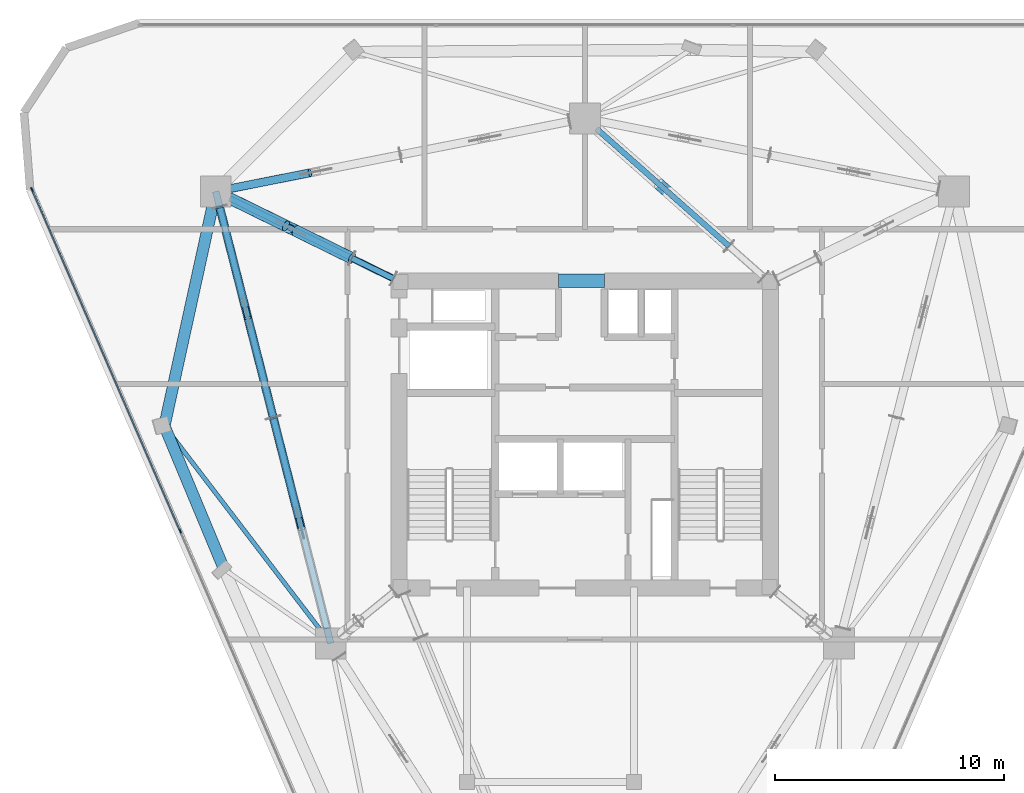
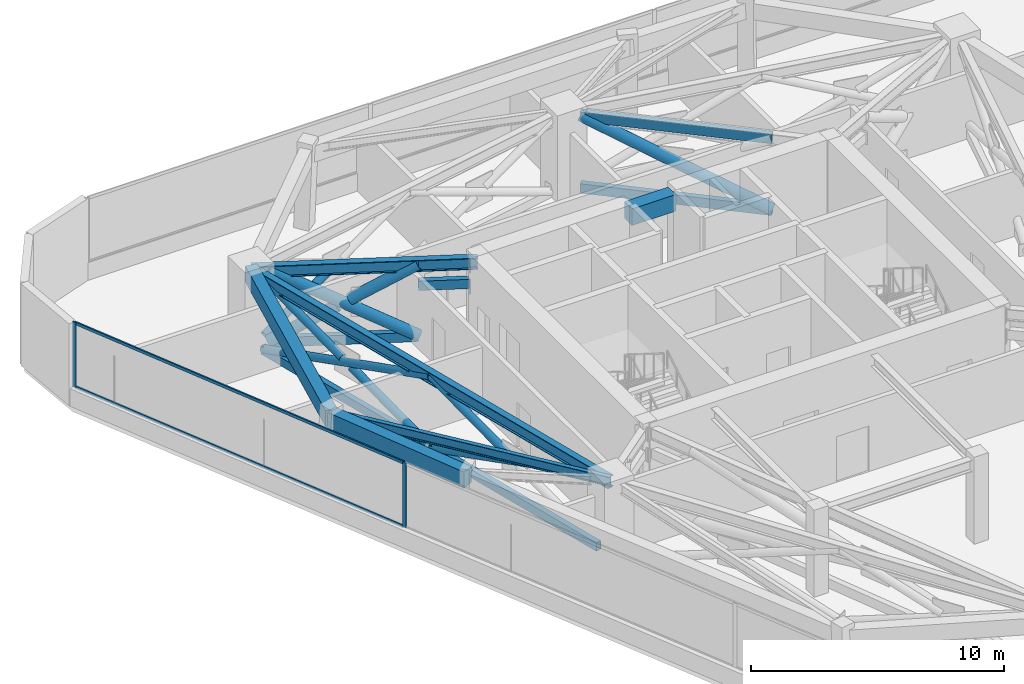
# One storey, part 5 of 12: 24 members, 6 beams, 1 element without a shape of its own.
"""IFC4 building model written with IfcOpenShell, lengths in metres."""

import ifcopenshell
import ifcopenshell.guid

model = None  # the IFC model being written
_history = None  # IfcOwnerHistory: only IFC2X3 demands one
_inside = {}  # id of a spatial element -> (the spatial element, [elements in it])
_under = {}  # id of a project, library or spatial element -> (it, [spatial elements below it])
_declared = {}  # id of a project -> (the project, [libraries it declares])
_typed = {}  # id of a type object -> (the type object, [elements of that type])
_made_of = {}  # id of a material, layer set ... -> (it, [elements and type objects made of it])


def new_model(schema):
    """Start an empty IFC model of exactly this schema.

    Asked for "IFC4X3", IfcOpenShell would pick the latest addendum, in which some entities
    have other attributes; the version numbers below select the first issue.
    IFC2X3 requires an IfcOwnerHistory on every rooted entity: one is made here for all.
    """
    global model, _history
    if schema == "IFC4X3":
        model = ifcopenshell.file(schema_version=(4, 3, 0, 0))
    else:
        model = ifcopenshell.file(schema=schema)
    _inside.clear()
    _under.clear()
    _declared.clear()
    _typed.clear()
    _made_of.clear()
    _history = None
    if model.schema == "IFC2X3":
        org = make("IfcOrganization", Name="unknown")
        user = make(
            "IfcPersonAndOrganization",
            ThePerson=make("IfcPerson", FamilyName="unknown"),
            TheOrganization=org,
        )
        app = make(
            "IfcApplication",
            ApplicationDeveloper=org,
            Version="unknown",
            ApplicationFullName="unknown",
            ApplicationIdentifier="unknown",
        )
        _history = make(
            "IfcOwnerHistory",
            OwningUser=user,
            OwningApplication=app,
            ChangeAction="ADDED",
            CreationDate=0,
        )
    return model


def make(cls, **values):
    """One entity of the class cls with the attributes given. An attribute that is None is left unset."""
    return model.create_entity(
        cls, **{name: value for name, value in values.items() if value is not None}
    )


def rooted(cls, **values):
    """An entity with a GlobalId (a new one), such as an element, a storey or a relation."""
    return make(cls, GlobalId=ifcopenshell.guid.new(), OwnerHistory=_history, **values)


def si_unit(unit_type, name, prefix=None):
    """IfcSIUnit, for example si_unit("LENGTHUNIT", "METRE", prefix="MILLI")."""
    return make("IfcSIUnit", UnitType=unit_type, Prefix=prefix, Name=name)


def assignment(units):
    """IfcUnitAssignment: the units of a project."""
    return None if units is None else make("IfcUnitAssignment", Units=units)


def point(xyz):
    """IfcCartesianPoint."""
    return None if xyz is None else make("IfcCartesianPoint", Coordinates=xyz)


def direction(xyz):
    """IfcDirection."""
    return None if xyz is None else make("IfcDirection", DirectionRatios=xyz)


def frame(location, z_axis=None, x_axis=None):
    """IfcAxis2Placement3D, a coordinate frame: its origin and axes. An axis left out is left unset."""
    return make(
        "IfcAxis2Placement3D",
        Location=point(location),
        Axis=direction(z_axis),
        RefDirection=direction(x_axis),
    )


def frame_2d(location, x_axis=None):
    """IfcAxis2Placement2D, a coordinate frame in the plane: its origin and x axis."""
    return make(
        "IfcAxis2Placement2D", Location=point(location), RefDirection=direction(x_axis)
    )


def origin():
    """The frame at (0, 0, 0) with its axes left unset."""
    return frame((0.0, 0.0, 0.0))


def origin_2d():
    """The frame at (0, 0) in the plane with its x axis left unset."""
    return frame_2d((0.0, 0.0))


def place(relative_to, where):
    """IfcLocalPlacement: puts the frame where relative to a parent placement (None: the world)."""
    return make(
        "IfcLocalPlacement", PlacementRelTo=relative_to, RelativePlacement=where
    )


def context(
    kind, dimensions, precision=None, world=None, true_north=None, identifier=None
):
    """IfcGeometricRepresentationContext, for example the 3D "Model" context."""
    return make(
        "IfcGeometricRepresentationContext",
        ContextIdentifier=identifier,
        ContextType=kind,
        CoordinateSpaceDimension=dimensions,
        Precision=precision,
        WorldCoordinateSystem=world,
        TrueNorth=true_north,
    )


def subcontext(parent, identifier, kind, view, scale=None):
    """IfcGeometricRepresentationSubContext, for example "Body" below "Model"."""
    return make(
        "IfcGeometricRepresentationSubContext",
        ContextIdentifier=identifier,
        ContextType=kind,
        ParentContext=parent,
        TargetScale=scale,
        TargetView=view,
    )


def project(units=None, contexts=None):
    """IfcProject with its units and contexts."""
    return rooted(
        "IfcProject",
        Name="project",
        RepresentationContexts=contexts,
        UnitsInContext=assignment(units),
    )


def spatial(cls, under=None, at=None, **own):
    """A site, building, storey or space (cls), placed at a placement, below another one or the project."""
    s = rooted(cls, ObjectPlacement=at, **own)
    if under is not None:
        _under.setdefault(under.id(), (under, []))[1].append(s)
    return s


def profile(cls, at=None, kind="AREA", **sizes):
    """A parametric profile (cls). Its sizes go by their IFC names, for example OverallWidth=200.0."""
    return make(cls, ProfileType=kind, Position=at, **sizes)


def rectangle(**sizes):
    """IfcRectangleProfileDef."""
    return profile("IfcRectangleProfileDef", **sizes)


def hollow_rectangle(**sizes):
    """IfcRectangleHollowProfileDef."""
    return profile("IfcRectangleHollowProfileDef", **sizes)


def hollow_circle(**sizes):
    """IfcCircleHollowProfileDef."""
    return profile("IfcCircleHollowProfileDef", **sizes)


def i_section(**sizes):
    """IfcIShapeProfileDef."""
    return profile("IfcIShapeProfileDef", **sizes)


def extrude(swept, where, along, depth):
    """IfcExtrudedAreaSolid: the profile swept, set in the frame where, extruded along a direction by depth."""
    return make(
        "IfcExtrudedAreaSolid",
        SweptArea=swept,
        Position=where,
        ExtrudedDirection=direction(along),
        Depth=depth,
    )


def shape(context_of_items, identifier, shape_type, items):
    """IfcShapeRepresentation: the items that make up one representation, for example the "Body"."""
    return make(
        "IfcShapeRepresentation",
        ContextOfItems=context_of_items,
        RepresentationIdentifier=identifier,
        RepresentationType=shape_type,
        Items=items,
    )


def material(Name=None, Category=None):
    """IfcMaterial."""
    return make("IfcMaterial", Name=Name, Category=Category)


def layer(
    of_material, thickness, ventilated=None, Name=None, Category=None, Priority=None
):
    """IfcMaterialLayer: one layer of a wall or slab, of a material (None: an air gap)."""
    return make(
        "IfcMaterialLayer",
        Material=of_material,
        LayerThickness=thickness,
        IsVentilated=ventilated,
        Name=Name,
        Category=Category,
        Priority=Priority,
    )


def layer_set(layers, Name=None):
    """IfcMaterialLayerSet."""
    return make("IfcMaterialLayerSet", MaterialLayers=layers, LayerSetName=Name)


def material_profile(
    of_material, cross_section, Name=None, Category=None, Priority=None
):
    """IfcMaterialProfile: a cross section and its material."""
    return make(
        "IfcMaterialProfile",
        Name=Name,
        Material=of_material,
        Profile=cross_section,
        Priority=Priority,
        Category=Category,
    )


def profile_set(profiles, Name=None, composite=None):
    """IfcMaterialProfileSet."""
    return make(
        "IfcMaterialProfileSet",
        Name=Name,
        MaterialProfiles=profiles,
        CompositeProfile=composite,
    )


def made_of(thing, what):
    """Note that an element or type object is made of a material, layer set ...; save() writes the relation."""
    if what is not None:
        _made_of.setdefault(what.id(), (what, []))[1].append(thing)
    return thing


def type_object(cls, material=None, **own):
    """A type object (cls), such as IfcWallType, which elements share."""
    return made_of(rooted(cls, **own), material)


def element(
    cls,
    number,
    at=None,
    inside=None,
    cuts=None,
    type_object=None,
    material=None,
    context=None,
    identifier="Body",
    shape_type=None,
    held_by="IfcProductDefinitionShape",
    body=None,
    shapes=None,
    **own,
):
    """One element of the class cls, such as IfcWall. Its Tag is "e" and its number.

    at: its placement. inside: the storey or other place that contains it. cuts: it is an
    opening in that element (IfcRelVoidsElement). A single representation is given by context,
    identifier, shape_type and body (its items); several are given by shapes. held_by: the class
    of the entity that holds the representations. save() writes the other relations.
    """
    e = rooted(cls, Tag="e%d" % number, ObjectPlacement=at, **own)
    if body is not None:
        shapes = [shape(context, identifier, shape_type, body)]
    if shapes is not None:
        e.Representation = make(held_by, Representations=shapes)
    if inside is not None:
        _inside.setdefault(inside.id(), (inside, []))[1].append(e)
    if cuts is not None:
        rooted(
            "IfcRelVoidsElement", RelatingBuildingElement=cuts, RelatedOpeningElement=e
        )
    if type_object is not None:
        _typed.setdefault(type_object.id(), (type_object, []))[1].append(e)
    return made_of(e, material)


def aggregate(whole, parts):
    """IfcRelAggregates: a whole, such as a stair, and the parts it consists of."""
    return rooted("IfcRelAggregates", RelatingObject=whole, RelatedObjects=parts)


def save(model, path):
    """Write the relations noted so far, then the file.

    IfcRelAggregates (storeys below a building ...), IfcRelContainedInSpatialStructure (elements
    in a storey), IfcRelDefinesByType, IfcRelAssociatesMaterial and IfcRelDeclares: one each for
    every whole, place, type object, material and project.
    """
    for whole, parts in _under.values():
        aggregate(whole, parts)
    for where, things in _inside.values():
        rooted(
            "IfcRelContainedInSpatialStructure",
            RelatedElements=things,
            RelatingStructure=where,
        )
    for kind, things in _typed.values():
        rooted("IfcRelDefinesByType", RelatedObjects=things, RelatingType=kind)
    for what, things in _made_of.values():
        rooted("IfcRelAssociatesMaterial", RelatedObjects=things, RelatingMaterial=what)
    for by, libraries in _declared.values():
        rooted("IfcRelDeclares", RelatingContext=by, RelatedDefinitions=libraries)
    model.write(path)


model = new_model("IFC4")

# Units and contexts
model_context = context("Model", 3, precision=1e-05, world=origin(), true_north=direction((0.0, 1.0)))
body_context = subcontext(model_context, "Body", "Model", "MODEL_VIEW")
ifc_project = project(units=[si_unit("LENGTHUNIT", "METRE"), si_unit("AREAUNIT", "SQUARE_METRE"), si_unit("VOLUMEUNIT", "CUBIC_METRE"), si_unit("PLANEANGLEUNIT", "RADIAN"), si_unit("MASSUNIT", "GRAM", prefix="KILO")], contexts=[model_context])

# Site, building, storey
site_placement = place(None, origin())
site = spatial("IfcSite", under=ifc_project, at=site_placement, CompositionType="ELEMENT")
building_placement = place(site_placement, origin())
building = spatial("IfcBuilding", under=site, at=building_placement, Name="Talyreon Biosciences Tower", CompositionType="ELEMENT")
storey_placement = place(building_placement, frame((0.0, 0.0, 227.39990234375)))
storey = spatial("IfcBuildingStorey", under=building, at=storey_placement, Name="L60", CompositionType="ELEMENT", Elevation=227.39990234375)

# Members
ifc_material_1 = material(Name="Steel SM355", Category="steel")
ifc_material_profile_1 = material_profile(ifc_material_1, hollow_circle(Radius=0.177734375, WallThickness=0.01416015625, at=origin_2d()), Name="CHS 355.6x14.2")
ifc_profile_set_1 = profile_set([ifc_material_profile_1], Name="Steel SM355")
member_type_1 = type_object("IfcMemberType", Name="BeltBrace_CHS355", PredefinedType="BRACE", material=ifc_profile_set_1)
member_1_placement = place(storey_placement, frame((50.569580078125, 78.731689453125, 0.239990234375), z_axis=(0.891172955279, 0.176590127121, 0.417883585204), x_axis=(-0.194375359175, 0.98092722449, 0.0)))
element("IfcMember", 1, at=member_1_placement, inside=storey, type_object=member_type_1, Name="L60 Split Diagonal BELT-L60-B4S2B-Lower", PredefinedType="BRACE", context=body_context, shape_type="SweptSolid", body=[
    extrude(hollow_circle(Radius=0.177734375, WallThickness=0.01416015625, at=origin_2d()), origin(), (0.0, 0.0, 1.0), 3.860107421875),
])
member_2_placement = place(storey_placement, frame((50.06640625, 77.934814453125, 0.239990234375), z_axis=(0.231631416423, -0.910474396591, 0.342612405026), x_axis=(0.969129151675, 0.246553619673, 0.0)))
element("IfcMember", 2, at=member_2_placement, inside=storey, type_object=member_type_1, Name="L60 Continuous Diagonal BELT-L60-B5S1A", PredefinedType="BRACE", context=body_context, shape_type="SweptSolid", body=[
    extrude(hollow_circle(Radius=0.177734375, WallThickness=0.01416015625, at=origin_2d()), origin(), (0.0, 0.0, 1.0), 10.099365234375),
])
for number, where, z_axis, x_axis, name in (
    (3, (52.40576171875, 68.739501953125, 0.239990234375), (-0.23161064965, 0.910472980326, 0.34263020746), (-0.969134341584, -0.246533218781, 0.0), "L60 Split Diagonal BELT-L60-B5S1B-Lower"),
    (4, (51.171142578125, 73.592041015625, 2.06591796875), (-0.23161064965, 0.910472980326, 0.34263020746), (-0.969134341584, -0.246533218781, 0.0), "L60 Split Diagonal BELT-L60-B5S1B-Upper"),
):
    element("IfcMember", number, at=place(storey_placement, frame(where, z_axis=z_axis, x_axis=x_axis)), inside=storey, type_object=member_type_1, Name=name, PredefinedType="BRACE", context=body_context, shape_type="SweptSolid", body=[
        extrude(hollow_circle(Radius=0.177734375, WallThickness=0.01416015625, at=origin_2d()), origin(), (0.0, 0.0, 1.0), 4.769775390625),
    ])
member_3_placement = place(storey_placement, frame((52.40576171875, 68.739501953125, 0.239990234375), z_axis=(0.231608539621, -0.910479494446, 0.342614323354), x_axis=(0.969135299617, 0.246529452677, 0.0)))
element("IfcMember", 5, at=member_3_placement, inside=storey, type_object=member_type_1, Name="L60 Continuous Diagonal BELT-L60-B5S2A", PredefinedType="BRACE", context=body_context, shape_type="SweptSolid", body=[
    extrude(hollow_circle(Radius=0.177734375, WallThickness=0.01416015625, at=origin_2d()), origin(), (0.0, 0.0, 1.0), 10.099365234375),
])
member_4_placement = place(storey_placement, frame((53.510498046875, 64.396728515625, 2.06591796875), z_axis=(-0.23161064965, 0.910472980326, 0.34263020746), x_axis=(-0.969134341584, -0.246533218781, 0.0)))
element("IfcMember", 6, at=member_4_placement, inside=storey, type_object=member_type_1, Name="L60 Split Diagonal BELT-L60-B5S2B-Upper", PredefinedType="BRACE", context=body_context, shape_type="SweptSolid", body=[
    extrude(hollow_circle(Radius=0.177734375, WallThickness=0.01416015625, at=origin_2d()), origin(), (0.0, 0.0, 1.0), 4.769775390625),
])
ifc_material_profile_2 = material_profile(ifc_material_1, hollow_rectangle(XDim=0.25, YDim=0.39990234375, WallThickness=0.01611328125, at=origin_2d()), Name="RHS 400x250x16")
ifc_profile_set_2 = profile_set([ifc_material_profile_2], Name="Steel SM355")
member_type_2 = type_object("IfcMemberType", Name="BeltChord_RHS400x250", PredefinedType="CHORD", material=ifc_profile_set_2)
for number, where, z_axis, x_axis, name in (
    (7, (50.06640625, 77.934814453125, 0.239990234375), (0.246553619673, -0.969129151675, 0.0), (0.969129151675, 0.246553619673, 0.0), "L60 Truss Bottom Chord BELT-L60-B5S1"),
    (8, (50.06640625, 77.934814453125, 3.7001953125), (0.246553619673, -0.969129151675, 0.0), (0.969129151675, 0.246553619673, 0.0), "L60 Truss Top Chord BELT-L60-B5S1"),
    (9, (52.40576171875, 68.739501953125, 0.239990234375), (0.246529452677, -0.969135299617, 0.0), (0.969135299617, 0.246529452677, 0.0), "L60 Truss Bottom Chord BELT-L60-B5S2"),
    (10, (52.40576171875, 68.739501953125, 3.7001953125), (0.246529452677, -0.969135299617, 0.0), (0.969135299617, 0.246529452677, 0.0), "L60 Truss Top Chord BELT-L60-B5S2"),
):
    element("IfcMember", number, at=place(storey_placement, frame(where, z_axis=z_axis, x_axis=x_axis)), inside=storey, type_object=member_type_2, Name=name, PredefinedType="CHORD", context=body_context, shape_type="SweptSolid", body=[
        extrude(hollow_rectangle(XDim=0.25, YDim=0.39990234375, WallThickness=0.01611328125, at=origin_2d()), origin(), (0.0, 0.0, 1.0), 9.48828125),
    ])

# Curtain wall, members
ifc_material_2 = material(Name="Thermally broken aluminium and low-E glazing", Category="aluminium")
ifc_layer = layer(ifc_material_2, 0.179931640625)
ifc_layer_set = layer_set([ifc_layer], Name="Thermally broken aluminium and low-E glazing")
curtain_wall_type = type_object("IfcCurtainWallType", Name="CurtainWall_Zone4Optical", PredefinedType="NOTDEFINED", material=ifc_layer_set)
curtain_wall_placement = place(storey_placement, origin())
curtain_wall = element("IfcCurtainWall", 11, at=curtain_wall_placement, inside=storey, type_object=curtain_wall_type, Name="L60 Unitised Curtain Wall FCW-L60-00", PredefinedType="NOTDEFINED")
ifc_material_3 = material(Name="Anodised thermally broken aluminium", Category="aluminium")
ifc_material_profile_3 = material_profile(ifc_material_3, rectangle(XDim=0.06494140625, YDim=0.179931640625, at=origin_2d()), Name="ALUM MULLION 65x180")
ifc_profile_set_3 = profile_set([ifc_material_profile_3], Name="Anodised thermally broken aluminium")
member_type_3 = type_object("IfcMemberType", Name="CWMullion_65x180", PredefinedType="MULLION", material=ifc_profile_set_3)
member_5_placement = place(storey_placement, frame((48.3466796875, 63.785888671875, 0.81005859375), z_axis=(0.0, 0.0, 1.0), x_axis=(-0.917336640876, -0.398112405366, 0.0)))
member_5 = element("IfcMember", 12, at=member_5_placement, type_object=member_type_3, Name="CW5 mullion 3", PredefinedType="MULLION", context=body_context, shape_type="SweptSolid", body=[
    extrude(rectangle(XDim=0.06494140625, YDim=0.179931640625, at=origin_2d()), origin(), (0.0, 0.0, 1.0), 3.14013671875),
])
member_6_placement = place(storey_placement, frame((41.881591796875, 78.683349609375, 0.81005859375), z_axis=(0.0, 0.0, 1.0), x_axis=(-0.917336640876, -0.398112405366, 0.0)))
member_6 = element("IfcMember", 13, at=member_6_placement, type_object=member_type_3, Name="CW5 mullion 4", PredefinedType="MULLION", context=body_context, shape_type="SweptSolid", body=[
    extrude(rectangle(XDim=0.06494140625, YDim=0.179931640625, at=origin_2d()), origin(), (0.0, 0.0, 1.0), 3.14013671875),
])
ifc_material_profile_4 = material_profile(ifc_material_3, rectangle(XDim=0.06494140625, YDim=0.139892578125, at=origin_2d()), Name="ALUM TRANSOM 65x140")
ifc_profile_set_4 = profile_set([ifc_material_profile_4], Name="Anodised thermally broken aluminium")
member_type_4 = type_object("IfcMemberType", Name="CWTransom_65x140", PredefinedType="USERDEFINED", material=ifc_profile_set_4)
member_7_placement = place(storey_placement, frame((48.333740234375, 63.815673828125, 0.842529296875), z_axis=(-0.398099588732, 0.917342203025, 0.0), x_axis=(-0.917342203025, -0.398099588732, 0.0)))
member_7 = element("IfcMember", 14, at=member_7_placement, type_object=member_type_4, Name="CW5 transom 3.1", ObjectType="TRANSOM", PredefinedType="USERDEFINED", context=body_context, shape_type="SweptSolid", body=[
    extrude(rectangle(XDim=0.06494140625, YDim=0.139892578125, at=origin_2d()), origin(), (0.0, 0.0, 1.0), 16.1748046875),
])
member_8_placement = place(storey_placement, frame((48.333740234375, 63.815673828125, 3.91748046875), z_axis=(-0.398099588732, 0.917342203025, 0.0), x_axis=(-0.917342203025, -0.398099588732, 0.0)))
member_8 = element("IfcMember", 15, at=member_8_placement, type_object=member_type_4, Name="CW5 transom 3.2", ObjectType="TRANSOM", PredefinedType="USERDEFINED", context=body_context, shape_type="SweptSolid", body=[
    extrude(rectangle(XDim=0.06494140625, YDim=0.139892578125, at=origin_2d()), origin(), (0.0, 0.0, 1.0), 16.1748046875),
])
aggregate(curtain_wall, [member_5, member_6, member_7, member_8])

# Beams
ifc_material_4 = material(Name="Concrete C50/60", Category="concrete")
ifc_material_profile_5 = material_profile(ifc_material_4, rectangle(XDim=0.60009765625, YDim=0.800048828125, at=origin_2d()), Name="RCB 600x800")
ifc_profile_set_5 = profile_set([ifc_material_profile_5], Name="Concrete C50/60")
beam_type_1 = type_object("IfcBeamType", Name="CoreCouplingLintel_600x800", PredefinedType="LINTEL", material=ifc_profile_set_5)
beam_1_placement = place(storey_placement, frame((64.85009765625, 74.699951171875, 3.550048828125), z_axis=(1.0, 0.0, 0.0), x_axis=(0.0, 1.0, 0.0)))
element("IfcBeam", 16, at=beam_1_placement, inside=storey, type_object=beam_type_1, Name="L60 Core Coupling Lintel", PredefinedType="LINTEL", context=body_context, shape_type="SweptSolid", body=[
    extrude(rectangle(XDim=0.60009765625, YDim=0.800048828125, at=origin_2d()), origin(), (0.0, 0.0, 1.0), 2.0),
])
ifc_material_5 = material(Name="Precast concrete C45/55", Category="concrete")
ifc_material_profile_6 = material_profile(ifc_material_5, rectangle(XDim=0.5, YDim=0.780029296875, at=origin_2d()), Name="RCB 500x780")
ifc_profile_set_6 = profile_set([ifc_material_profile_6], Name="Precast concrete C45/55")
beam_type_2 = type_object("IfcBeamType", Name="ExpressedSpandrel_500x780", PredefinedType="SPANDREL", material=ifc_profile_set_6)
beam_2_placement = place(storey_placement, frame((49.897705078125, 78.5986328125, 3.56005859375), z_axis=(-0.213966691033, -0.976840956926, 0.0), x_axis=(0.976840956926, -0.213966691033, 0.0)))
element("IfcBeam", 17, at=beam_2_placement, inside=storey, type_object=beam_type_2, Name="L60 Expressed Horizontal Concrete Spandrel 09", PredefinedType="SPANDREL", context=body_context, shape_type="SweptSolid", body=[
    extrude(rectangle(XDim=0.5, YDim=0.780029296875, at=origin_2d()), origin(), (0.0, 0.0, 1.0), 10.469970703125),
])
beam_3_placement = place(storey_placement, frame((47.657470703125, 68.37109375, 3.56005859375), z_axis=(0.384441263046, -0.923149454459, 0.0), x_axis=(0.923149454459, 0.384441263046, 0.0)))
element("IfcBeam", 18, at=beam_3_placement, inside=storey, type_object=beam_type_2, Name="L60 Expressed Horizontal Concrete Spandrel 10", PredefinedType="SPANDREL", context=body_context, shape_type="SweptSolid", body=[
    extrude(rectangle(XDim=0.5, YDim=0.780029296875, at=origin_2d()), origin(), (0.0, 0.0, 1.0), 6.770263671875),
])

# Members
ifc_material_profile_7 = material_profile(ifc_material_1, hollow_circle(Radius=0.25390625, WallThickness=0.02001953125, at=origin_2d()), Name="CHS 508x20")
ifc_profile_set_7 = profile_set([ifc_material_profile_7], Name="Steel SM355")
member_type_5 = type_object("IfcMemberType", Name="OutriggerBrace_CHS508", PredefinedType="BRACE", material=ifc_profile_set_7)
member_9_placement = place(storey_placement, frame((72.291748046875, 76.209228515625, 0.239990234375), z_axis=(-0.682799059695, 0.605525543266, 0.408808342052), x_axis=(-0.663502192119, -0.748174338676, 0.0)))
element("IfcMember", 19, at=member_9_placement, inside=storey, type_object=member_type_5, Name="L60 Continuous Diagonal OUT-L60-R4A", PredefinedType="BRACE", context=body_context, shape_type="SweptSolid", body=[
    extrude(hollow_circle(Radius=0.25390625, WallThickness=0.02001953125, at=origin_2d()), origin(), (0.0, 0.0, 1.0), 8.464111328125),
])
member_10_placement = place(storey_placement, frame((55.840087890625, 75.684814453125, 0.239990234375), z_axis=(-0.77561055575, 0.3803232183, 0.503768315231), x_axis=(-0.440271049639, -0.897864913475, 0.0)))
element("IfcMember", 20, at=member_10_placement, inside=storey, type_object=member_type_5, Name="L60 Continuous Diagonal OUT-L60-R5A", PredefinedType="BRACE", context=body_context, shape_type="SweptSolid", body=[
    extrude(hollow_circle(Radius=0.25390625, WallThickness=0.02001953125, at=origin_2d()), origin(), (0.0, 0.0, 1.0), 6.86865234375),
])
for number, where, z_axis, x_axis, name in (
    (21, (50.5126953125, 78.297119140625, 0.239990234375), (0.775568565041, -0.38035368549, 0.503809959067), (0.440318698791, 0.897841546986, 0.0), "L60 Split Diagonal OUT-L60-R5B-Lower"),
    (22, (53.3935546875, 76.884521484375, 2.111083984375), (0.775599406471, -0.380330853547, 0.503779716268), (0.4402832772, 0.897858917547, 0.0), "L60 Split Diagonal OUT-L60-R5B-Upper"),
):
    element("IfcMember", number, at=place(storey_placement, frame(where, z_axis=z_axis, x_axis=x_axis)), inside=storey, type_object=member_type_5, Name=name, PredefinedType="BRACE", context=body_context, shape_type="SweptSolid", body=[
        extrude(hollow_circle(Radius=0.25390625, WallThickness=0.02001953125, at=origin_2d()), origin(), (0.0, 0.0, 1.0), 3.154296875),
    ])
ifc_material_profile_8 = material_profile(ifc_material_1, hollow_rectangle(XDim=0.25, YDim=0.449951171875, WallThickness=0.01611328125, at=origin_2d()), Name="RHS 450x250x16")
ifc_profile_set_8 = profile_set([ifc_material_profile_8], Name="Steel SM355")
member_type_6 = type_object("IfcMemberType", Name="OutriggerChord_RHS450x250", PredefinedType="CHORD", material=ifc_profile_set_8)
for number, where, z_axis, x_axis, name in (
    (23, (72.291748046875, 76.209228515625, 0.239990234375), (-0.748174338676, 0.663502192119, 0.0), (-0.663502192119, -0.748174338676, 0.0), "L60 Truss Bottom Chord OUT-L60-R4"),
    (24, (72.291748046875, 76.209228515625, 3.7001953125), (-0.748174338676, 0.663502192119, 0.0), (-0.663502192119, -0.748174338676, 0.0), "L60 Truss Top Chord OUT-L60-R4"),
):
    element("IfcMember", number, at=place(storey_placement, frame(where, z_axis=z_axis, x_axis=x_axis)), inside=storey, type_object=member_type_6, Name=name, PredefinedType="CHORD", context=body_context, shape_type="SweptSolid", body=[
        extrude(hollow_rectangle(XDim=0.25, YDim=0.449951171875, WallThickness=0.01611328125, at=origin_2d()), origin(), (0.0, 0.0, 1.0), 7.724609375),
    ])
for number, where, z_axis, x_axis, name in (
    (25, (57.649169921875, 74.797607421875, 3.7001953125), (-0.897841833821, 0.440318113914, 0.0), (-0.440318113914, -0.897841833821, 0.0), "L60 Outrigger Core Top Tie 5"),
    (26, (57.649169921875, 74.797607421875, 2.7001953125), (-0.897841833821, 0.440318113914, 0.0), (-0.440318113914, -0.897841833821, 0.0), "L60 Outrigger Core Plenum Tie 5"),
):
    element("IfcMember", number, at=place(storey_placement, frame(where, z_axis=z_axis, x_axis=x_axis)), inside=storey, type_object=member_type_6, Name=name, PredefinedType="CHORD", context=body_context, shape_type="SweptSolid", body=[
        extrude(hollow_rectangle(XDim=0.25, YDim=0.449951171875, WallThickness=0.01611328125, at=origin_2d()), origin(), (0.0, 0.0, 1.0), 2.014892578125),
    ])
for number, where, z_axis, x_axis, name in (
    (27, (55.840087890625, 75.684814453125, 0.239990234375), (-0.897864913475, 0.440271049639, 0.0), (-0.440271049639, -0.897864913475, 0.0), "L60 Truss Bottom Chord OUT-L60-R5"),
    (28, (55.840087890625, 75.684814453125, 3.7001953125), (-0.897864913475, 0.440271049639, 0.0), (-0.440271049639, -0.897864913475, 0.0), "L60 Truss Top Chord OUT-L60-R5"),
):
    element("IfcMember", number, at=place(storey_placement, frame(where, z_axis=z_axis, x_axis=x_axis)), inside=storey, type_object=member_type_6, Name=name, PredefinedType="CHORD", context=body_context, shape_type="SweptSolid", body=[
        extrude(hollow_rectangle(XDim=0.25, YDim=0.449951171875, WallThickness=0.01611328125, at=origin_2d()), origin(), (0.0, 0.0, 1.0), 5.933349609375),
    ])

# Beams
ifc_material_profile_9 = material_profile(ifc_material_1, i_section(OverallWidth=0.300048828125, OverallDepth=0.550048828125, WebThickness=0.014892578125, FlangeThickness=0.029052734375, FilletRadius=0.027099609375, at=origin_2d()), Name="HE550B")
ifc_profile_set_9 = profile_set([ifc_material_profile_9], Name="Steel SM355")
beam_type_3 = type_object("IfcBeamType", Name="SteelBeam_HE550B", PredefinedType="BEAM", material=ifc_profile_set_9)
beam_4_placement = place(storey_placement, frame((49.897705078125, 78.5986328125, 3.675048828125), z_axis=(0.246537082299, -0.969133358755, 0.0), x_axis=(0.969133358755, 0.246537082299, 0.0)))
element("IfcBeam", 29, at=beam_4_placement, inside=storey, type_object=beam_type_3, Name="L60 Mega-Ring Girder 5", PredefinedType="BEAM", context=body_context, shape_type="SweptSolid", body=[
    extrude(i_section(OverallWidth=0.300048828125, OverallDepth=0.550048828125, WebThickness=0.014892578125, FlangeThickness=0.029052734375, FilletRadius=0.027099609375, at=origin_2d()), origin(), (0.0, 0.0, 1.0), 20.34619140625),
])
beam_5_placement = place(storey_placement, frame((57.949951171875, 74.64990234375, 3.675048828125), z_axis=(-0.897852360314, 0.440296648952, 0.0), x_axis=(-0.440296648952, -0.897852360314, 0.0)))
element("IfcBeam", 30, at=beam_5_placement, inside=storey, type_object=beam_type_3, Name="L60 Radial Primary Girder 5", PredefinedType="BEAM", context=body_context, shape_type="SweptSolid", body=[
    extrude(i_section(OverallWidth=0.300048828125, OverallDepth=0.550048828125, WebThickness=0.014892578125, FlangeThickness=0.029052734375, FilletRadius=0.027099609375, at=origin_2d()), origin(), (0.0, 0.0, 1.0), 8.96826171875),
])
ifc_material_profile_10 = material_profile(ifc_material_1, i_section(OverallWidth=0.18994140625, OverallDepth=0.449951171875, WebThickness=0.009521484375, FlangeThickness=0.0146484375, FilletRadius=0.02099609375, at=origin_2d()), Name="IPE450")
ifc_profile_set_10 = profile_set([ifc_material_profile_10], Name="Steel SM355")
beam_type_4 = type_object("IfcBeamType", Name="SteelJoist_IPE450", PredefinedType="JOIST", material=ifc_profile_set_10)
beam_6_placement = place(storey_placement, frame((54.913818359375, 58.88037109375, 3.72509765625), z_axis=(-0.607383355472, 0.794408874255, 0.0), x_axis=(-0.794408874255, -0.607383355472, 0.0)))
element("IfcBeam", 31, at=beam_6_placement, inside=storey, type_object=beam_type_4, Name="L60 Radial Composite Floor Joist PC-SW1", PredefinedType="JOIST", context=body_context, shape_type="SweptSolid", body=[
    extrude(i_section(OverallWidth=0.18994140625, OverallDepth=0.449951171875, WebThickness=0.009521484375, FlangeThickness=0.0146484375, FilletRadius=0.02099609375, at=origin_2d()), origin(), (0.0, 0.0, 1.0), 11.94677734375),
])

save(model, "model.ifc")
